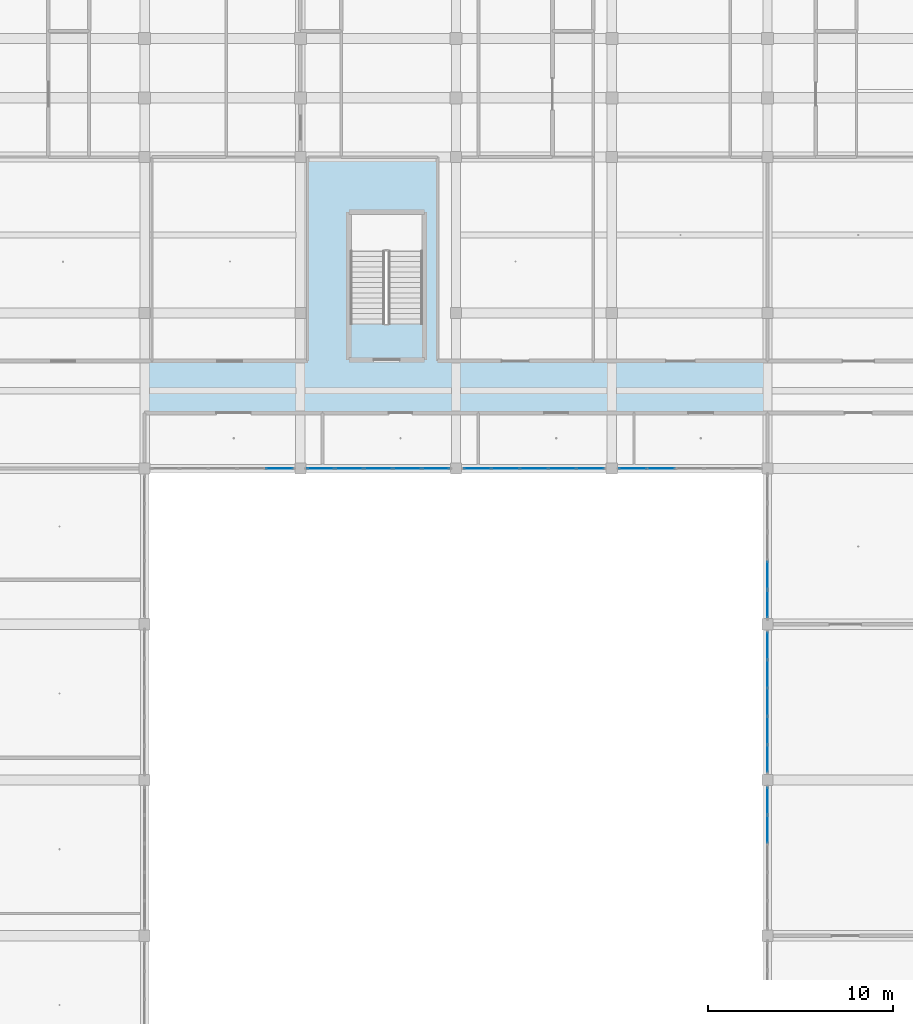
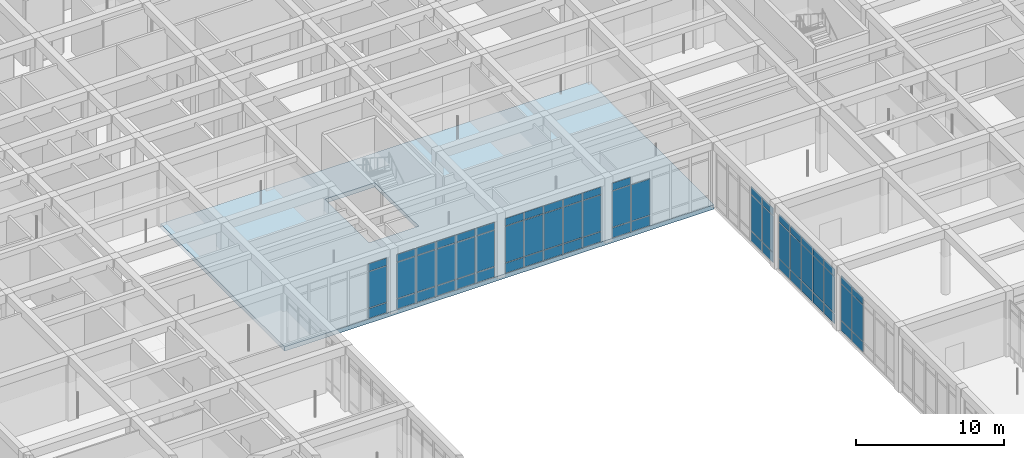
# One storey, part 66 of 157: 65 plates, 1 slab, 7 elements without a shape of their own.
"""IFC4 building model written with IfcOpenShell, lengths in metres."""

from ifc_helpers import new_model, si_unit, direction, frame, origin, origin_2d, place, context, subcontext, project, spatial, polyline, rectangle, outline, extrude, material, layer, layer_set, type_object, element, aggregate, save


model = new_model("IFC4")

# Units and contexts
model_context = context("Model", 3, precision=1e-05, world=origin(), true_north=direction((0.0, 1.0)))
body_context = subcontext(model_context, "Body", "Model", "MODEL_VIEW")
ifc_project = project(units=[si_unit("LENGTHUNIT", "METRE"), si_unit("AREAUNIT", "SQUARE_METRE"), si_unit("VOLUMEUNIT", "CUBIC_METRE"), si_unit("PLANEANGLEUNIT", "RADIAN"), si_unit("MASSUNIT", "GRAM", prefix="KILO")], contexts=[model_context])

# Site, building, storey
site_placement = place(None, origin())
site = spatial("IfcSite", under=ifc_project, at=site_placement, CompositionType="ELEMENT")
building_placement = place(site_placement, origin())
building = spatial("IfcBuilding", under=site, at=building_placement, Name="Varncliffe General Hospital", CompositionType="ELEMENT")
storey_placement = place(building_placement, frame((0.0, 0.0, 5.39990234375)))
storey = spatial("IfcBuildingStorey", under=building, at=storey_placement, Name="L01", CompositionType="ELEMENT", Elevation=5.39990234375)

# Curtain wall, plates
ifc_material_1 = material(Name="Triple low-E argon insulated vision glazing", Category="glass")
curtain_wall_type_1 = type_object("IfcCurtainWallType", Name="Unitised Glazed Curtain Wall CW70 (7724x4640)", PredefinedType="USERDEFINED", material=ifc_material_1)
curtain_wall_1_placement = place(storey_placement, origin())
curtain_wall_1 = element("IfcCurtainWall", 1, at=curtain_wall_1_placement, inside=storey, type_object=curtain_wall_type_1, Name="L01 Glazed Curtain Wall CW70-73", ObjectType="GLAZED CURTAIN WALL", PredefinedType="USERDEFINED")
ifc_layer_1 = layer(ifc_material_1, 0.0439453125)
ifc_layer_set_1 = layer_set([ifc_layer_1], Name="Triple low-E argon insulated vision glazing")
plate_type_1 = type_object("IfcPlateType", Name="Curtain Wall Glazing Panel CP12 (44mm)", PredefinedType="CURTAIN_PANEL", material=ifc_layer_set_1)
plate_1_placement = place(storey_placement, frame((53.05517578125, 82.800048828125, 0.06005859375), z_axis=(0.0, 0.0, 1.0), x_axis=(-1.0, 0.0, 0.0)))
plate_1 = element("IfcPlate", 2, at=plate_1_placement, type_object=plate_type_1, Name="CW70 panel 4.1", PredefinedType="CURTAIN_PANEL", context=body_context, shape_type="SweptSolid", body=[
    extrude(rectangle(XDim=1.4697265625, YDim=0.0439453125, at=origin_2d()), origin(), (0.0, 0.0, 1.0), 0.81005859375),
])
plate_2_placement = place(storey_placement, frame((53.05517578125, 82.800048828125, 0.93017578125), z_axis=(0.0, 0.0, 1.0), x_axis=(-1.0, 0.0, 0.0)))
plate_2 = element("IfcPlate", 3, at=plate_2_placement, type_object=plate_type_1, Name="CW70 panel 4.2", PredefinedType="CURTAIN_PANEL", context=body_context, shape_type="SweptSolid", body=[
    extrude(rectangle(XDim=1.4697265625, YDim=0.0439453125, at=origin_2d()), origin(), (0.0, 0.0, 1.0), 2.97998046875),
])
plate_3_placement = place(storey_placement, frame((51.529052734375, 82.800048828125, 0.06005859375), z_axis=(0.0, 0.0, 1.0), x_axis=(-1.0, 0.0, 0.0)))
plate_3 = element("IfcPlate", 4, at=plate_3_placement, type_object=plate_type_1, Name="CW70 panel 5.1", PredefinedType="CURTAIN_PANEL", context=body_context, shape_type="SweptSolid", body=[
    extrude(rectangle(XDim=1.432373046875, YDim=0.0439453125, at=origin_2d()), origin(), (0.0, 0.0, 1.0), 0.81005859375),
])
plate_4_placement = place(storey_placement, frame((51.529052734375, 82.800048828125, 0.93017578125), z_axis=(0.0, 0.0, 1.0), x_axis=(-1.0, 0.0, 0.0)))
plate_4 = element("IfcPlate", 5, at=plate_4_placement, type_object=plate_type_1, Name="CW70 panel 5.2", PredefinedType="CURTAIN_PANEL", context=body_context, shape_type="SweptSolid", body=[
    extrude(rectangle(XDim=1.432373046875, YDim=0.0439453125, at=origin_2d()), origin(), (0.0, 0.0, 1.0), 2.97998046875),
])
plate_5_placement = place(storey_placement, frame((51.529052734375, 82.800048828125, 3.97021484375), z_axis=(0.0, 0.0, 1.0), x_axis=(-1.0, 0.0, 0.0)))
plate_5 = element("IfcPlate", 6, at=plate_5_placement, type_object=plate_type_1, Name="CW70 panel 5.3", PredefinedType="CURTAIN_PANEL", context=body_context, shape_type="SweptSolid", body=[
    extrude(rectangle(XDim=1.432373046875, YDim=0.0439453125, at=origin_2d()), origin(), (0.0, 0.0, 1.0), 0.610107421875),
])
aggregate(curtain_wall_1, [plate_1, plate_2, plate_3, plate_4, plate_5])

curtain_wall_2_placement = place(storey_placement, origin())
curtain_wall_2 = element("IfcCurtainWall", 7, at=curtain_wall_2_placement, inside=storey, type_object=curtain_wall_type_1, Name="L01 Glazed Curtain Wall CW70-76", ObjectType="GLAZED CURTAIN WALL", PredefinedType="USERDEFINED")
plate_6_placement = place(storey_placement, frame((32.470947265625, 82.800048828125, 0.06005859375), z_axis=(0.0, 0.0, 1.0), x_axis=(-1.0, 0.0, 0.0)))
plate_6 = element("IfcPlate", 8, at=plate_6_placement, type_object=plate_type_1, Name="CW70 panel 1.1", PredefinedType="CURTAIN_PANEL", context=body_context, shape_type="SweptSolid", body=[
    extrude(rectangle(XDim=1.432373046875, YDim=0.0439453125, at=origin_2d()), origin(), (0.0, 0.0, 1.0), 0.81005859375),
])
plate_7_placement = place(storey_placement, frame((32.470947265625, 82.800048828125, 0.93017578125), z_axis=(0.0, 0.0, 1.0), x_axis=(-1.0, 0.0, 0.0)))
plate_7 = element("IfcPlate", 9, at=plate_7_placement, type_object=plate_type_1, Name="CW70 panel 1.2", PredefinedType="CURTAIN_PANEL", context=body_context, shape_type="SweptSolid", body=[
    extrude(rectangle(XDim=1.432373046875, YDim=0.0439453125, at=origin_2d()), origin(), (0.0, 0.0, 1.0), 2.97998046875),
])
plate_8_placement = place(storey_placement, frame((32.470947265625, 82.800048828125, 3.97021484375), z_axis=(0.0, 0.0, 1.0), x_axis=(-1.0, 0.0, 0.0)))
plate_8 = element("IfcPlate", 10, at=plate_8_placement, type_object=plate_type_1, Name="CW70 panel 1.3", PredefinedType="CURTAIN_PANEL", context=body_context, shape_type="SweptSolid", body=[
    extrude(rectangle(XDim=1.432373046875, YDim=0.0439453125, at=origin_2d()), origin(), (0.0, 0.0, 1.0), 0.610107421875),
])
aggregate(curtain_wall_2, [plate_6, plate_7, plate_8])

curtain_wall_3_placement = place(storey_placement, origin())
curtain_wall_3 = element("IfcCurtainWall", 11, at=curtain_wall_3_placement, inside=storey, type_object=curtain_wall_type_1, Name="L01 Glazed Curtain Wall CW70-88", ObjectType="GLAZED CURTAIN WALL", PredefinedType="USERDEFINED")
plate_9_placement = place(storey_placement, frame((58.800048828125, 63.3447265625, 0.06005859375), z_axis=(0.0, 0.0, 1.0), x_axis=(0.0, 1.0, 0.0)))
plate_9 = element("IfcPlate", 12, at=plate_9_placement, type_object=plate_type_1, Name="CW70 panel 4.1", PredefinedType="CURTAIN_PANEL", context=body_context, shape_type="SweptSolid", body=[
    extrude(rectangle(XDim=1.4697265625, YDim=0.0439453125, at=origin_2d()), origin(), (0.0, 0.0, 1.0), 0.81005859375),
])
plate_10_placement = place(storey_placement, frame((58.800048828125, 63.3447265625, 0.93017578125), z_axis=(0.0, 0.0, 1.0), x_axis=(0.0, 1.0, 0.0)))
plate_10 = element("IfcPlate", 13, at=plate_10_placement, type_object=plate_type_1, Name="CW70 panel 4.2", PredefinedType="CURTAIN_PANEL", context=body_context, shape_type="SweptSolid", body=[
    extrude(rectangle(XDim=1.4697265625, YDim=0.0439453125, at=origin_2d()), origin(), (0.0, 0.0, 1.0), 2.97998046875),
])
plate_11_placement = place(storey_placement, frame((58.800048828125, 63.3447265625, 3.97021484375), z_axis=(0.0, 0.0, 1.0), x_axis=(0.0, 1.0, 0.0)))
plate_11 = element("IfcPlate", 14, at=plate_11_placement, type_object=plate_type_1, Name="CW70 panel 4.3", PredefinedType="CURTAIN_PANEL", context=body_context, shape_type="SweptSolid", body=[
    extrude(rectangle(XDim=1.4697265625, YDim=0.0439453125, at=origin_2d()), origin(), (0.0, 0.0, 1.0), 0.610107421875),
])
plate_12_placement = place(storey_placement, frame((58.800048828125, 64.870849609375, 0.06005859375), z_axis=(0.0, 0.0, 1.0), x_axis=(0.0, 1.0, 0.0)))
plate_12 = element("IfcPlate", 15, at=plate_12_placement, type_object=plate_type_1, Name="CW70 panel 5.1", PredefinedType="CURTAIN_PANEL", context=body_context, shape_type="SweptSolid", body=[
    extrude(rectangle(XDim=1.432373046875, YDim=0.0439453125, at=origin_2d()), origin(), (0.0, 0.0, 1.0), 0.81005859375),
])
plate_13_placement = place(storey_placement, frame((58.800048828125, 64.870849609375, 0.93017578125), z_axis=(0.0, 0.0, 1.0), x_axis=(0.0, 1.0, 0.0)))
plate_13 = element("IfcPlate", 16, at=plate_13_placement, type_object=plate_type_1, Name="CW70 panel 5.2", PredefinedType="CURTAIN_PANEL", context=body_context, shape_type="SweptSolid", body=[
    extrude(rectangle(XDim=1.432373046875, YDim=0.0439453125, at=origin_2d()), origin(), (0.0, 0.0, 1.0), 2.97998046875),
])
plate_14_placement = place(storey_placement, frame((58.800048828125, 64.870849609375, 3.97021484375), z_axis=(0.0, 0.0, 1.0), x_axis=(0.0, 1.0, 0.0)))
plate_14 = element("IfcPlate", 17, at=plate_14_placement, type_object=plate_type_1, Name="CW70 panel 5.3", PredefinedType="CURTAIN_PANEL", context=body_context, shape_type="SweptSolid", body=[
    extrude(rectangle(XDim=1.432373046875, YDim=0.0439453125, at=origin_2d()), origin(), (0.0, 0.0, 1.0), 0.610107421875),
])
aggregate(curtain_wall_3, [plate_9, plate_10, plate_11, plate_12, plate_13, plate_14])

curtain_wall_type_2 = type_object("IfcCurtainWallType", Name="Unitised Glazed Curtain Wall CW85 (7804x4640)", PredefinedType="USERDEFINED", material=ifc_material_1)
curtain_wall_4_placement = place(storey_placement, origin())
curtain_wall_4 = element("IfcCurtainWall", 18, at=curtain_wall_4_placement, inside=storey, type_object=curtain_wall_type_2, Name="L01 Glazed Curtain Wall CW85-75", ObjectType="GLAZED CURTAIN WALL", PredefinedType="USERDEFINED")
ifc_layer_2 = layer(ifc_material_1, 0.035888671875)
ifc_layer_set_2 = layer_set([ifc_layer_2], Name="Triple low-E argon insulated vision glazing")
plate_type_2 = type_object("IfcPlateType", Name="Curtain Wall Glazing Panel CP27 (36mm)", PredefinedType="CURTAIN_PANEL", material=ifc_layer_set_2)
plate_15_placement = place(storey_placement, frame((40.90283203125, 82.800048828125, 0.06494140625), z_axis=(0.0, 0.0, 1.0), x_axis=(-1.0, 0.0, 0.0)))
plate_15 = element("IfcPlate", 19, at=plate_15_placement, type_object=plate_type_2, Name="CW85 panel 1.1", PredefinedType="CURTAIN_PANEL", context=body_context, shape_type="SweptSolid", body=[
    extrude(rectangle(XDim=1.4482421875, YDim=0.035888671875, at=origin_2d()), origin(), (0.0, 0.0, 1.0), 0.802490234375),
])
plate_16_placement = place(storey_placement, frame((40.90283203125, 82.800048828125, 0.9326171875), z_axis=(0.0, 0.0, 1.0), x_axis=(-1.0, 0.0, 0.0)))
plate_16 = element("IfcPlate", 20, at=plate_16_placement, type_object=plate_type_2, Name="CW85 panel 1.2", PredefinedType="CURTAIN_PANEL", context=body_context, shape_type="SweptSolid", body=[
    extrude(rectangle(XDim=1.4482421875, YDim=0.035888671875, at=origin_2d()), origin(), (0.0, 0.0, 1.0), 2.97509765625),
])
plate_17_placement = place(storey_placement, frame((40.90283203125, 82.800048828125, 3.97265625), z_axis=(0.0, 0.0, 1.0), x_axis=(-1.0, 0.0, 0.0)))
plate_17 = element("IfcPlate", 21, at=plate_17_placement, type_object=plate_type_2, Name="CW85 panel 1.3", PredefinedType="CURTAIN_PANEL", context=body_context, shape_type="SweptSolid", body=[
    extrude(rectangle(XDim=1.4482421875, YDim=0.035888671875, at=origin_2d()), origin(), (0.0, 0.0, 1.0), 0.6025390625),
])
plate_18_placement = place(storey_placement, frame((39.36083984375, 82.800048828125, 0.06494140625), z_axis=(0.0, 0.0, 1.0), x_axis=(-1.0, 0.0, 0.0)))
plate_18 = element("IfcPlate", 22, at=plate_18_placement, type_object=plate_type_2, Name="CW85 panel 2.1", PredefinedType="CURTAIN_PANEL", context=body_context, shape_type="SweptSolid", body=[
    extrude(rectangle(XDim=1.48583984375, YDim=0.035888671875, at=origin_2d()), origin(), (0.0, 0.0, 1.0), 0.802490234375),
])
plate_19_placement = place(storey_placement, frame((39.36083984375, 82.800048828125, 0.9326171875), z_axis=(0.0, 0.0, 1.0), x_axis=(-1.0, 0.0, 0.0)))
plate_19 = element("IfcPlate", 23, at=plate_19_placement, type_object=plate_type_2, Name="CW85 panel 2.2", PredefinedType="CURTAIN_PANEL", context=body_context, shape_type="SweptSolid", body=[
    extrude(rectangle(XDim=1.48583984375, YDim=0.035888671875, at=origin_2d()), origin(), (0.0, 0.0, 1.0), 2.97509765625),
])
plate_20_placement = place(storey_placement, frame((39.36083984375, 82.800048828125, 3.97265625), z_axis=(0.0, 0.0, 1.0), x_axis=(-1.0, 0.0, 0.0)))
plate_20 = element("IfcPlate", 24, at=plate_20_placement, type_object=plate_type_2, Name="CW85 panel 2.3", PredefinedType="CURTAIN_PANEL", context=body_context, shape_type="SweptSolid", body=[
    extrude(rectangle(XDim=1.48583984375, YDim=0.035888671875, at=origin_2d()), origin(), (0.0, 0.0, 1.0), 0.6025390625),
])
plate_21_placement = place(storey_placement, frame((37.800048828125, 82.800048828125, 0.06494140625), z_axis=(0.0, 0.0, 1.0), x_axis=(-1.0, 0.0, 0.0)))
plate_21 = element("IfcPlate", 25, at=plate_21_placement, type_object=plate_type_2, Name="CW85 panel 3.1", PredefinedType="CURTAIN_PANEL", context=body_context, shape_type="SweptSolid", body=[
    extrude(rectangle(XDim=1.48583984375, YDim=0.035888671875, at=origin_2d()), origin(), (0.0, 0.0, 1.0), 0.802490234375),
])
plate_22_placement = place(storey_placement, frame((37.800048828125, 82.800048828125, 0.9326171875), z_axis=(0.0, 0.0, 1.0), x_axis=(-1.0, 0.0, 0.0)))
plate_22 = element("IfcPlate", 26, at=plate_22_placement, type_object=plate_type_2, Name="CW85 panel 3.2", PredefinedType="CURTAIN_PANEL", context=body_context, shape_type="SweptSolid", body=[
    extrude(rectangle(XDim=1.48583984375, YDim=0.035888671875, at=origin_2d()), origin(), (0.0, 0.0, 1.0), 2.97509765625),
])
plate_23_placement = place(storey_placement, frame((37.800048828125, 82.800048828125, 3.97265625), z_axis=(0.0, 0.0, 1.0), x_axis=(-1.0, 0.0, 0.0)))
plate_23 = element("IfcPlate", 27, at=plate_23_placement, type_object=plate_type_2, Name="CW85 panel 3.3", PredefinedType="CURTAIN_PANEL", context=body_context, shape_type="SweptSolid", body=[
    extrude(rectangle(XDim=1.48583984375, YDim=0.035888671875, at=origin_2d()), origin(), (0.0, 0.0, 1.0), 0.6025390625),
])
plate_24_placement = place(storey_placement, frame((36.2392578125, 82.800048828125, 0.06494140625), z_axis=(0.0, 0.0, 1.0), x_axis=(-1.0, 0.0, 0.0)))
plate_24 = element("IfcPlate", 28, at=plate_24_placement, type_object=plate_type_2, Name="CW85 panel 4.1", PredefinedType="CURTAIN_PANEL", context=body_context, shape_type="SweptSolid", body=[
    extrude(rectangle(XDim=1.48583984375, YDim=0.035888671875, at=origin_2d()), origin(), (0.0, 0.0, 1.0), 0.802490234375),
])
plate_25_placement = place(storey_placement, frame((36.2392578125, 82.800048828125, 0.9326171875), z_axis=(0.0, 0.0, 1.0), x_axis=(-1.0, 0.0, 0.0)))
plate_25 = element("IfcPlate", 29, at=plate_25_placement, type_object=plate_type_2, Name="CW85 panel 4.2", PredefinedType="CURTAIN_PANEL", context=body_context, shape_type="SweptSolid", body=[
    extrude(rectangle(XDim=1.48583984375, YDim=0.035888671875, at=origin_2d()), origin(), (0.0, 0.0, 1.0), 2.97509765625),
])
plate_26_placement = place(storey_placement, frame((36.2392578125, 82.800048828125, 3.97265625), z_axis=(0.0, 0.0, 1.0), x_axis=(-1.0, 0.0, 0.0)))
plate_26 = element("IfcPlate", 30, at=plate_26_placement, type_object=plate_type_2, Name="CW85 panel 4.3", PredefinedType="CURTAIN_PANEL", context=body_context, shape_type="SweptSolid", body=[
    extrude(rectangle(XDim=1.48583984375, YDim=0.035888671875, at=origin_2d()), origin(), (0.0, 0.0, 1.0), 0.6025390625),
])
plate_27_placement = place(storey_placement, frame((34.697265625, 82.800048828125, 0.06494140625), z_axis=(0.0, 0.0, 1.0), x_axis=(-1.0, 0.0, 0.0)))
plate_27 = element("IfcPlate", 31, at=plate_27_placement, type_object=plate_type_2, Name="CW85 panel 5.1", PredefinedType="CURTAIN_PANEL", context=body_context, shape_type="SweptSolid", body=[
    extrude(rectangle(XDim=1.4482421875, YDim=0.035888671875, at=origin_2d()), origin(), (0.0, 0.0, 1.0), 0.802490234375),
])
plate_28_placement = place(storey_placement, frame((34.697265625, 82.800048828125, 0.9326171875), z_axis=(0.0, 0.0, 1.0), x_axis=(-1.0, 0.0, 0.0)))
plate_28 = element("IfcPlate", 32, at=plate_28_placement, type_object=plate_type_2, Name="CW85 panel 5.2", PredefinedType="CURTAIN_PANEL", context=body_context, shape_type="SweptSolid", body=[
    extrude(rectangle(XDim=1.4482421875, YDim=0.035888671875, at=origin_2d()), origin(), (0.0, 0.0, 1.0), 2.97509765625),
])
plate_29_placement = place(storey_placement, frame((34.697265625, 82.800048828125, 3.97265625), z_axis=(0.0, 0.0, 1.0), x_axis=(-1.0, 0.0, 0.0)))
plate_29 = element("IfcPlate", 33, at=plate_29_placement, type_object=plate_type_2, Name="CW85 panel 5.3", PredefinedType="CURTAIN_PANEL", context=body_context, shape_type="SweptSolid", body=[
    extrude(rectangle(XDim=1.4482421875, YDim=0.035888671875, at=origin_2d()), origin(), (0.0, 0.0, 1.0), 0.6025390625),
])
aggregate(curtain_wall_4, [plate_15, plate_16, plate_17, plate_18, plate_19, plate_20, plate_21, plate_22, plate_23, plate_24, plate_25, plate_26, plate_27, plate_28, plate_29])

curtain_wall_5_placement = place(storey_placement, origin())
curtain_wall_5 = element("IfcCurtainWall", 34, at=curtain_wall_5_placement, inside=storey, type_object=curtain_wall_type_2, Name="L01 Glazed Curtain Wall CW85-90", ObjectType="GLAZED CURTAIN WALL", PredefinedType="USERDEFINED")
plate_30_placement = place(storey_placement, frame((58.800048828125, 75.4970703125, 0.06494140625), z_axis=(0.0, 0.0, 1.0), x_axis=(0.0, 1.0, 0.0)))
plate_30 = element("IfcPlate", 35, at=plate_30_placement, type_object=plate_type_2, Name="CW85 panel 1.1", PredefinedType="CURTAIN_PANEL", context=body_context, shape_type="SweptSolid", body=[
    extrude(rectangle(XDim=1.4482421875, YDim=0.035888671875, at=origin_2d()), origin(), (0.0, 0.0, 1.0), 0.802490234375),
])
plate_31_placement = place(storey_placement, frame((58.800048828125, 75.4970703125, 0.9326171875), z_axis=(0.0, 0.0, 1.0), x_axis=(0.0, 1.0, 0.0)))
plate_31 = element("IfcPlate", 36, at=plate_31_placement, type_object=plate_type_2, Name="CW85 panel 1.2", PredefinedType="CURTAIN_PANEL", context=body_context, shape_type="SweptSolid", body=[
    extrude(rectangle(XDim=1.4482421875, YDim=0.035888671875, at=origin_2d()), origin(), (0.0, 0.0, 1.0), 2.97509765625),
])
plate_32_placement = place(storey_placement, frame((58.800048828125, 75.4970703125, 3.97265625), z_axis=(0.0, 0.0, 1.0), x_axis=(0.0, 1.0, 0.0)))
plate_32 = element("IfcPlate", 37, at=plate_32_placement, type_object=plate_type_2, Name="CW85 panel 1.3", PredefinedType="CURTAIN_PANEL", context=body_context, shape_type="SweptSolid", body=[
    extrude(rectangle(XDim=1.4482421875, YDim=0.035888671875, at=origin_2d()), origin(), (0.0, 0.0, 1.0), 0.6025390625),
])
plate_33_placement = place(storey_placement, frame((58.800048828125, 77.039306640625, 0.06494140625), z_axis=(0.0, 0.0, 1.0), x_axis=(0.0, 1.0, 0.0)))
plate_33 = element("IfcPlate", 38, at=plate_33_placement, type_object=plate_type_2, Name="CW85 panel 2.1", PredefinedType="CURTAIN_PANEL", context=body_context, shape_type="SweptSolid", body=[
    extrude(rectangle(XDim=1.48583984375, YDim=0.035888671875, at=origin_2d()), origin(), (0.0, 0.0, 1.0), 0.802490234375),
])
plate_34_placement = place(storey_placement, frame((58.800048828125, 77.039306640625, 0.9326171875), z_axis=(0.0, 0.0, 1.0), x_axis=(0.0, 1.0, 0.0)))
plate_34 = element("IfcPlate", 39, at=plate_34_placement, type_object=plate_type_2, Name="CW85 panel 2.2", PredefinedType="CURTAIN_PANEL", context=body_context, shape_type="SweptSolid", body=[
    extrude(rectangle(XDim=1.48583984375, YDim=0.035888671875, at=origin_2d()), origin(), (0.0, 0.0, 1.0), 2.97509765625),
])
plate_35_placement = place(storey_placement, frame((58.800048828125, 77.039306640625, 3.97265625), z_axis=(0.0, 0.0, 1.0), x_axis=(0.0, 1.0, 0.0)))
plate_35 = element("IfcPlate", 40, at=plate_35_placement, type_object=plate_type_2, Name="CW85 panel 2.3", PredefinedType="CURTAIN_PANEL", context=body_context, shape_type="SweptSolid", body=[
    extrude(rectangle(XDim=1.48583984375, YDim=0.035888671875, at=origin_2d()), origin(), (0.0, 0.0, 1.0), 0.6025390625),
])
aggregate(curtain_wall_5, [plate_30, plate_31, plate_32, plate_33, plate_34, plate_35])

curtain_wall_type_3 = type_object("IfcCurtainWallType", Name="Unitised Glazed Curtain Wall CW27 (7644x4640)", PredefinedType="USERDEFINED", material=ifc_material_1)
curtain_wall_6_placement = place(storey_placement, origin())
curtain_wall_6 = element("IfcCurtainWall", 41, at=curtain_wall_6_placement, inside=storey, type_object=curtain_wall_type_3, Name="L01 Glazed Curtain Wall CW27-74", ObjectType="GLAZED CURTAIN WALL", PredefinedType="USERDEFINED")
ifc_layer_3 = layer(ifc_material_1, 0.028076171875)
ifc_layer_set_3 = layer_set([ifc_layer_3], Name="Triple low-E argon insulated vision glazing")
plate_type_3 = type_object("IfcPlateType", Name="Curtain Wall Glazing Panel CP48 (28mm)", PredefinedType="CURTAIN_PANEL", material=ifc_layer_set_3)
plate_36_placement = place(storey_placement, frame((49.241455078125, 82.800048828125, 0.06005859375), z_axis=(0.0, 0.0, 1.0), x_axis=(-1.0, 0.0, 0.0)))
plate_36 = element("IfcPlate", 42, at=plate_36_placement, type_object=plate_type_3, Name="CW27 panel 1.1", PredefinedType="CURTAIN_PANEL", context=body_context, shape_type="SweptSolid", body=[
    extrude(rectangle(XDim=1.431396484375, YDim=0.028076171875, at=origin_2d()), origin(), (0.0, 0.0, 1.0), 0.81005859375),
])
plate_37_placement = place(storey_placement, frame((49.241455078125, 82.800048828125, 0.93017578125), z_axis=(0.0, 0.0, 1.0), x_axis=(-1.0, 0.0, 0.0)))
plate_37 = element("IfcPlate", 43, at=plate_37_placement, type_object=plate_type_3, Name="CW27 panel 1.2", PredefinedType="CURTAIN_PANEL", context=body_context, shape_type="SweptSolid", body=[
    extrude(rectangle(XDim=1.431396484375, YDim=0.028076171875, at=origin_2d()), origin(), (0.0, 0.0, 1.0), 2.97998046875),
])
plate_38_placement = place(storey_placement, frame((49.241455078125, 82.800048828125, 3.97021484375), z_axis=(0.0, 0.0, 1.0), x_axis=(-1.0, 0.0, 0.0)))
plate_38 = element("IfcPlate", 44, at=plate_38_placement, type_object=plate_type_3, Name="CW27 panel 1.3", PredefinedType="CURTAIN_PANEL", context=body_context, shape_type="SweptSolid", body=[
    extrude(rectangle(XDim=1.431396484375, YDim=0.028076171875, at=origin_2d()), origin(), (0.0, 0.0, 1.0), 0.610107421875),
])
plate_39_placement = place(storey_placement, frame((47.728759765625, 82.800048828125, 0.06005859375), z_axis=(0.0, 0.0, 1.0), x_axis=(-1.0, 0.0, 0.0)))
plate_39 = element("IfcPlate", 45, at=plate_39_placement, type_object=plate_type_3, Name="CW27 panel 2.1", PredefinedType="CURTAIN_PANEL", context=body_context, shape_type="SweptSolid", body=[
    extrude(rectangle(XDim=1.4638671875, YDim=0.028076171875, at=origin_2d()), origin(), (0.0, 0.0, 1.0), 0.81005859375),
])
plate_40_placement = place(storey_placement, frame((47.728759765625, 82.800048828125, 0.93017578125), z_axis=(0.0, 0.0, 1.0), x_axis=(-1.0, 0.0, 0.0)))
plate_40 = element("IfcPlate", 46, at=plate_40_placement, type_object=plate_type_3, Name="CW27 panel 2.2", PredefinedType="CURTAIN_PANEL", context=body_context, shape_type="SweptSolid", body=[
    extrude(rectangle(XDim=1.4638671875, YDim=0.028076171875, at=origin_2d()), origin(), (0.0, 0.0, 1.0), 2.97998046875),
])
plate_41_placement = place(storey_placement, frame((47.728759765625, 82.800048828125, 3.97021484375), z_axis=(0.0, 0.0, 1.0), x_axis=(-1.0, 0.0, 0.0)))
plate_41 = element("IfcPlate", 47, at=plate_41_placement, type_object=plate_type_3, Name="CW27 panel 2.3", PredefinedType="CURTAIN_PANEL", context=body_context, shape_type="SweptSolid", body=[
    extrude(rectangle(XDim=1.4638671875, YDim=0.028076171875, at=origin_2d()), origin(), (0.0, 0.0, 1.0), 0.610107421875),
])
plate_42_placement = place(storey_placement, frame((46.199951171875, 82.800048828125, 0.06005859375), z_axis=(0.0, 0.0, 1.0), x_axis=(-1.0, 0.0, 0.0)))
plate_42 = element("IfcPlate", 48, at=plate_42_placement, type_object=plate_type_3, Name="CW27 panel 3.1", PredefinedType="CURTAIN_PANEL", context=body_context, shape_type="SweptSolid", body=[
    extrude(rectangle(XDim=1.4638671875, YDim=0.028076171875, at=origin_2d()), origin(), (0.0, 0.0, 1.0), 0.81005859375),
])
plate_43_placement = place(storey_placement, frame((46.199951171875, 82.800048828125, 0.93017578125), z_axis=(0.0, 0.0, 1.0), x_axis=(-1.0, 0.0, 0.0)))
plate_43 = element("IfcPlate", 49, at=plate_43_placement, type_object=plate_type_3, Name="CW27 panel 3.2", PredefinedType="CURTAIN_PANEL", context=body_context, shape_type="SweptSolid", body=[
    extrude(rectangle(XDim=1.4638671875, YDim=0.028076171875, at=origin_2d()), origin(), (0.0, 0.0, 1.0), 2.97998046875),
])
plate_44_placement = place(storey_placement, frame((46.199951171875, 82.800048828125, 3.97021484375), z_axis=(0.0, 0.0, 1.0), x_axis=(-1.0, 0.0, 0.0)))
plate_44 = element("IfcPlate", 50, at=plate_44_placement, type_object=plate_type_3, Name="CW27 panel 3.3", PredefinedType="CURTAIN_PANEL", context=body_context, shape_type="SweptSolid", body=[
    extrude(rectangle(XDim=1.4638671875, YDim=0.028076171875, at=origin_2d()), origin(), (0.0, 0.0, 1.0), 0.610107421875),
])
plate_45_placement = place(storey_placement, frame((44.671142578125, 82.800048828125, 0.06005859375), z_axis=(0.0, 0.0, 1.0), x_axis=(-1.0, 0.0, 0.0)))
plate_45 = element("IfcPlate", 51, at=plate_45_placement, type_object=plate_type_3, Name="CW27 panel 4.1", PredefinedType="CURTAIN_PANEL", context=body_context, shape_type="SweptSolid", body=[
    extrude(rectangle(XDim=1.4638671875, YDim=0.028076171875, at=origin_2d()), origin(), (0.0, 0.0, 1.0), 0.81005859375),
])
plate_46_placement = place(storey_placement, frame((44.671142578125, 82.800048828125, 0.93017578125), z_axis=(0.0, 0.0, 1.0), x_axis=(-1.0, 0.0, 0.0)))
plate_46 = element("IfcPlate", 52, at=plate_46_placement, type_object=plate_type_3, Name="CW27 panel 4.2", PredefinedType="CURTAIN_PANEL", context=body_context, shape_type="SweptSolid", body=[
    extrude(rectangle(XDim=1.4638671875, YDim=0.028076171875, at=origin_2d()), origin(), (0.0, 0.0, 1.0), 2.97998046875),
])
plate_47_placement = place(storey_placement, frame((44.671142578125, 82.800048828125, 3.97021484375), z_axis=(0.0, 0.0, 1.0), x_axis=(-1.0, 0.0, 0.0)))
plate_47 = element("IfcPlate", 53, at=plate_47_placement, type_object=plate_type_3, Name="CW27 panel 4.3", PredefinedType="CURTAIN_PANEL", context=body_context, shape_type="SweptSolid", body=[
    extrude(rectangle(XDim=1.4638671875, YDim=0.028076171875, at=origin_2d()), origin(), (0.0, 0.0, 1.0), 0.610107421875),
])
plate_48_placement = place(storey_placement, frame((43.15869140625, 82.800048828125, 0.06005859375), z_axis=(0.0, 0.0, 1.0), x_axis=(-1.0, 0.0, 0.0)))
plate_48 = element("IfcPlate", 54, at=plate_48_placement, type_object=plate_type_3, Name="CW27 panel 5.1", PredefinedType="CURTAIN_PANEL", context=body_context, shape_type="SweptSolid", body=[
    extrude(rectangle(XDim=1.431396484375, YDim=0.028076171875, at=origin_2d()), origin(), (0.0, 0.0, 1.0), 0.81005859375),
])
plate_49_placement = place(storey_placement, frame((43.15869140625, 82.800048828125, 0.93017578125), z_axis=(0.0, 0.0, 1.0), x_axis=(-1.0, 0.0, 0.0)))
plate_49 = element("IfcPlate", 55, at=plate_49_placement, type_object=plate_type_3, Name="CW27 panel 5.2", PredefinedType="CURTAIN_PANEL", context=body_context, shape_type="SweptSolid", body=[
    extrude(rectangle(XDim=1.431396484375, YDim=0.028076171875, at=origin_2d()), origin(), (0.0, 0.0, 1.0), 2.97998046875),
])
plate_50_placement = place(storey_placement, frame((43.15869140625, 82.800048828125, 3.97021484375), z_axis=(0.0, 0.0, 1.0), x_axis=(-1.0, 0.0, 0.0)))
plate_50 = element("IfcPlate", 56, at=plate_50_placement, type_object=plate_type_3, Name="CW27 panel 5.3", PredefinedType="CURTAIN_PANEL", context=body_context, shape_type="SweptSolid", body=[
    extrude(rectangle(XDim=1.431396484375, YDim=0.028076171875, at=origin_2d()), origin(), (0.0, 0.0, 1.0), 0.610107421875),
])
aggregate(curtain_wall_6, [plate_36, plate_37, plate_38, plate_39, plate_40, plate_41, plate_42, plate_43, plate_44, plate_45, plate_46, plate_47, plate_48, plate_49, plate_50])

curtain_wall_7_placement = place(storey_placement, origin())
curtain_wall_7 = element("IfcCurtainWall", 57, at=curtain_wall_7_placement, inside=storey, type_object=curtain_wall_type_3, Name="L01 Glazed Curtain Wall CW27-89", ObjectType="GLAZED CURTAIN WALL", PredefinedType="USERDEFINED")
plate_51_placement = place(storey_placement, frame((58.800048828125, 67.15869140625, 0.06005859375), z_axis=(0.0, 0.0, 1.0), x_axis=(0.0, 1.0, 0.0)))
plate_51 = element("IfcPlate", 58, at=plate_51_placement, type_object=plate_type_3, Name="CW27 panel 1.1", PredefinedType="CURTAIN_PANEL", context=body_context, shape_type="SweptSolid", body=[
    extrude(rectangle(XDim=1.431396484375, YDim=0.028076171875, at=origin_2d()), origin(), (0.0, 0.0, 1.0), 0.81005859375),
])
plate_52_placement = place(storey_placement, frame((58.800048828125, 67.15869140625, 0.93017578125), z_axis=(0.0, 0.0, 1.0), x_axis=(0.0, 1.0, 0.0)))
plate_52 = element("IfcPlate", 59, at=plate_52_placement, type_object=plate_type_3, Name="CW27 panel 1.2", PredefinedType="CURTAIN_PANEL", context=body_context, shape_type="SweptSolid", body=[
    extrude(rectangle(XDim=1.431396484375, YDim=0.028076171875, at=origin_2d()), origin(), (0.0, 0.0, 1.0), 2.97998046875),
])
plate_53_placement = place(storey_placement, frame((58.800048828125, 67.15869140625, 3.97021484375), z_axis=(0.0, 0.0, 1.0), x_axis=(0.0, 1.0, 0.0)))
plate_53 = element("IfcPlate", 60, at=plate_53_placement, type_object=plate_type_3, Name="CW27 panel 1.3", PredefinedType="CURTAIN_PANEL", context=body_context, shape_type="SweptSolid", body=[
    extrude(rectangle(XDim=1.431396484375, YDim=0.028076171875, at=origin_2d()), origin(), (0.0, 0.0, 1.0), 0.610107421875),
])
plate_54_placement = place(storey_placement, frame((58.800048828125, 68.671142578125, 0.06005859375), z_axis=(0.0, 0.0, 1.0), x_axis=(0.0, 1.0, 0.0)))
plate_54 = element("IfcPlate", 61, at=plate_54_placement, type_object=plate_type_3, Name="CW27 panel 2.1", PredefinedType="CURTAIN_PANEL", context=body_context, shape_type="SweptSolid", body=[
    extrude(rectangle(XDim=1.4638671875, YDim=0.028076171875, at=origin_2d()), origin(), (0.0, 0.0, 1.0), 0.81005859375),
])
plate_55_placement = place(storey_placement, frame((58.800048828125, 68.671142578125, 0.93017578125), z_axis=(0.0, 0.0, 1.0), x_axis=(0.0, 1.0, 0.0)))
plate_55 = element("IfcPlate", 62, at=plate_55_placement, type_object=plate_type_3, Name="CW27 panel 2.2", PredefinedType="CURTAIN_PANEL", context=body_context, shape_type="SweptSolid", body=[
    extrude(rectangle(XDim=1.4638671875, YDim=0.028076171875, at=origin_2d()), origin(), (0.0, 0.0, 1.0), 2.97998046875),
])
plate_56_placement = place(storey_placement, frame((58.800048828125, 68.671142578125, 3.97021484375), z_axis=(0.0, 0.0, 1.0), x_axis=(0.0, 1.0, 0.0)))
plate_56 = element("IfcPlate", 63, at=plate_56_placement, type_object=plate_type_3, Name="CW27 panel 2.3", PredefinedType="CURTAIN_PANEL", context=body_context, shape_type="SweptSolid", body=[
    extrude(rectangle(XDim=1.4638671875, YDim=0.028076171875, at=origin_2d()), origin(), (0.0, 0.0, 1.0), 0.610107421875),
])
plate_57_placement = place(storey_placement, frame((58.800048828125, 70.199951171875, 0.06005859375), z_axis=(0.0, 0.0, 1.0), x_axis=(0.0, 1.0, 0.0)))
plate_57 = element("IfcPlate", 64, at=plate_57_placement, type_object=plate_type_3, Name="CW27 panel 3.1", PredefinedType="CURTAIN_PANEL", context=body_context, shape_type="SweptSolid", body=[
    extrude(rectangle(XDim=1.4638671875, YDim=0.028076171875, at=origin_2d()), origin(), (0.0, 0.0, 1.0), 0.81005859375),
])
plate_58_placement = place(storey_placement, frame((58.800048828125, 70.199951171875, 0.93017578125), z_axis=(0.0, 0.0, 1.0), x_axis=(0.0, 1.0, 0.0)))
plate_58 = element("IfcPlate", 65, at=plate_58_placement, type_object=plate_type_3, Name="CW27 panel 3.2", PredefinedType="CURTAIN_PANEL", context=body_context, shape_type="SweptSolid", body=[
    extrude(rectangle(XDim=1.4638671875, YDim=0.028076171875, at=origin_2d()), origin(), (0.0, 0.0, 1.0), 2.97998046875),
])
plate_59_placement = place(storey_placement, frame((58.800048828125, 70.199951171875, 3.97021484375), z_axis=(0.0, 0.0, 1.0), x_axis=(0.0, 1.0, 0.0)))
plate_59 = element("IfcPlate", 66, at=plate_59_placement, type_object=plate_type_3, Name="CW27 panel 3.3", PredefinedType="CURTAIN_PANEL", context=body_context, shape_type="SweptSolid", body=[
    extrude(rectangle(XDim=1.4638671875, YDim=0.028076171875, at=origin_2d()), origin(), (0.0, 0.0, 1.0), 0.610107421875),
])
plate_60_placement = place(storey_placement, frame((58.800048828125, 71.728759765625, 0.06005859375), z_axis=(0.0, 0.0, 1.0), x_axis=(0.0, 1.0, 0.0)))
plate_60 = element("IfcPlate", 67, at=plate_60_placement, type_object=plate_type_3, Name="CW27 panel 4.1", PredefinedType="CURTAIN_PANEL", context=body_context, shape_type="SweptSolid", body=[
    extrude(rectangle(XDim=1.4638671875, YDim=0.028076171875, at=origin_2d()), origin(), (0.0, 0.0, 1.0), 0.81005859375),
])
plate_61_placement = place(storey_placement, frame((58.800048828125, 71.728759765625, 0.93017578125), z_axis=(0.0, 0.0, 1.0), x_axis=(0.0, 1.0, 0.0)))
plate_61 = element("IfcPlate", 68, at=plate_61_placement, type_object=plate_type_3, Name="CW27 panel 4.2", PredefinedType="CURTAIN_PANEL", context=body_context, shape_type="SweptSolid", body=[
    extrude(rectangle(XDim=1.4638671875, YDim=0.028076171875, at=origin_2d()), origin(), (0.0, 0.0, 1.0), 2.97998046875),
])
plate_62_placement = place(storey_placement, frame((58.800048828125, 71.728759765625, 3.97021484375), z_axis=(0.0, 0.0, 1.0), x_axis=(0.0, 1.0, 0.0)))
plate_62 = element("IfcPlate", 69, at=plate_62_placement, type_object=plate_type_3, Name="CW27 panel 4.3", PredefinedType="CURTAIN_PANEL", context=body_context, shape_type="SweptSolid", body=[
    extrude(rectangle(XDim=1.4638671875, YDim=0.028076171875, at=origin_2d()), origin(), (0.0, 0.0, 1.0), 0.610107421875),
])
plate_63_placement = place(storey_placement, frame((58.800048828125, 73.241455078125, 0.06005859375), z_axis=(0.0, 0.0, 1.0), x_axis=(0.0, 1.0, 0.0)))
plate_63 = element("IfcPlate", 70, at=plate_63_placement, type_object=plate_type_3, Name="CW27 panel 5.1", PredefinedType="CURTAIN_PANEL", context=body_context, shape_type="SweptSolid", body=[
    extrude(rectangle(XDim=1.431396484375, YDim=0.028076171875, at=origin_2d()), origin(), (0.0, 0.0, 1.0), 0.81005859375),
])
plate_64_placement = place(storey_placement, frame((58.800048828125, 73.241455078125, 0.93017578125), z_axis=(0.0, 0.0, 1.0), x_axis=(0.0, 1.0, 0.0)))
plate_64 = element("IfcPlate", 71, at=plate_64_placement, type_object=plate_type_3, Name="CW27 panel 5.2", PredefinedType="CURTAIN_PANEL", context=body_context, shape_type="SweptSolid", body=[
    extrude(rectangle(XDim=1.431396484375, YDim=0.028076171875, at=origin_2d()), origin(), (0.0, 0.0, 1.0), 2.97998046875),
])
plate_65_placement = place(storey_placement, frame((58.800048828125, 73.241455078125, 3.97021484375), z_axis=(0.0, 0.0, 1.0), x_axis=(0.0, 1.0, 0.0)))
plate_65 = element("IfcPlate", 72, at=plate_65_placement, type_object=plate_type_3, Name="CW27 panel 5.3", PredefinedType="CURTAIN_PANEL", context=body_context, shape_type="SweptSolid", body=[
    extrude(rectangle(XDim=1.431396484375, YDim=0.028076171875, at=origin_2d()), origin(), (0.0, 0.0, 1.0), 0.610107421875),
])
aggregate(curtain_wall_7, [plate_51, plate_52, plate_53, plate_54, plate_55, plate_56, plate_57, plate_58, plate_59, plate_60, plate_61, plate_62, plate_63, plate_64, plate_65])

# Slab
ifc_material_2 = material(Name="Concrete C35/45 (CSA A23.1 35 MPa)", Category="concrete")
ifc_layer_4 = layer(ifc_material_2, 0.360107421875)
ifc_layer_set_4 = layer_set([ifc_layer_4], Name="Concrete C35/45 (CSA A23.1 35 MPa)")
slab_type = type_object("IfcSlabType", Name="Floor Slab SL42 (Int 360mm)", PredefinedType="FLOOR", material=ifc_layer_set_4)
slab_placement = place(storey_placement, frame((0.0, 0.0, -0.35986328125)))
element("IfcSlab", 73, at=slab_placement, inside=storey, type_object=slab_type, Name="L01 V3 Structural Floor Slab 2", PredefinedType="FLOOR", context=body_context, shape_type="SweptSolid", body=[
    extrude(outline(polyline([(25.199951171875, 99.60009765625), (58.800048828125, 99.60009765625), (58.800048828125, 82.800048828125), (25.199951171875, 82.800048828125), (25.199951171875, 99.60009765625)]), holes=[polyline([(40.199951171875, 90.60009765625), (40.199951171875, 96.550048828125), (36.300048828125, 96.550048828125), (36.300048828125, 90.60009765625), (40.199951171875, 90.60009765625)])]), origin(), (0.0, 0.0, 1.0), 0.35986328125),
])

save(model, "model.ifc")
